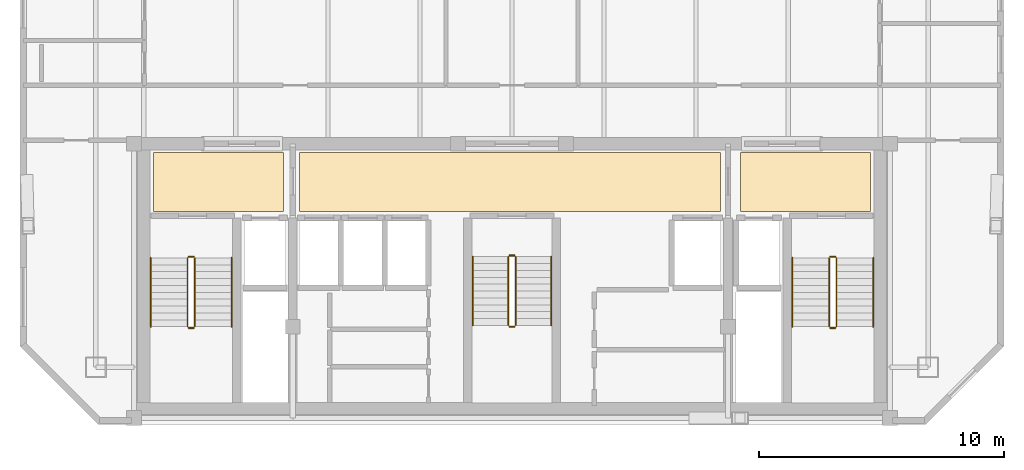
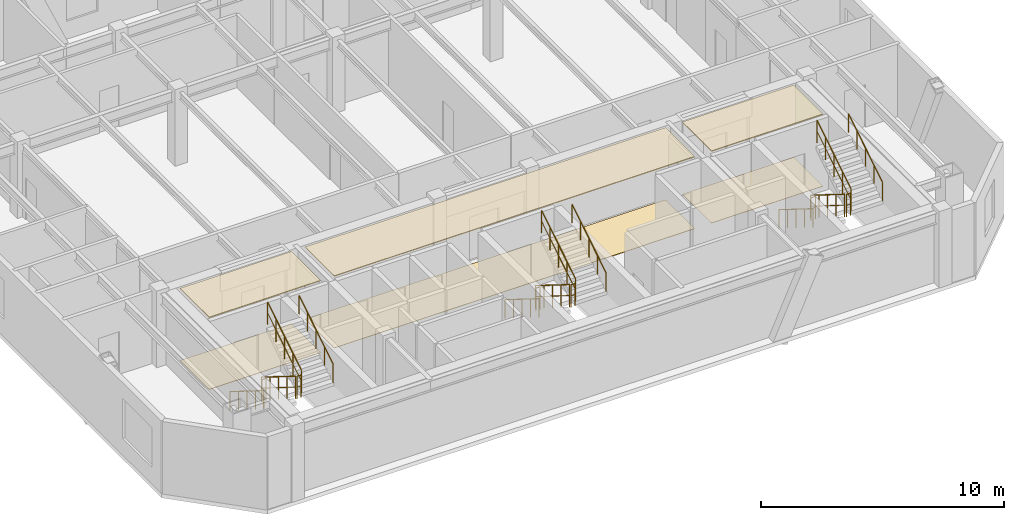
# One storey, part 6 of 6: 18 railings, 6 coverings.
"""IFC4 building model written with IfcOpenShell, lengths in metres."""

from ifc_helpers import new_model, si_unit, direction, frame, origin, origin_2d, place, context, subcontext, project, spatial, polyline, circle, outline, extrude, material, layer, layer_set, type_object, element, save


model = new_model("IFC4")

# Units and contexts
model_context = context("Model", 3, precision=1e-05, world=origin(), true_north=direction((0.0, 1.0)))
body_context = subcontext(model_context, "Body", "Model", "MODEL_VIEW")
ifc_project = project(units=[si_unit("LENGTHUNIT", "METRE"), si_unit("AREAUNIT", "SQUARE_METRE"), si_unit("VOLUMEUNIT", "CUBIC_METRE"), si_unit("PLANEANGLEUNIT", "RADIAN"), si_unit("MASSUNIT", "GRAM", prefix="KILO")], contexts=[model_context])

# Site, building, storey
site_placement = place(None, origin())
site = spatial("IfcSite", under=ifc_project, at=site_placement, CompositionType="ELEMENT")
building_placement = place(site_placement, origin())
building = spatial("IfcBuilding", under=site, at=building_placement, Name="Ventersveld Concourse Tower", CompositionType="ELEMENT")
storey_placement = place(building_placement, frame((0.0, 0.0, 300.300048828125)))
storey = spatial("IfcBuildingStorey", under=building, at=storey_placement, Name="L74", CompositionType="ELEMENT", Elevation=300.300048828125)

# Coverings
ifc_material_1 = material(Name="Mineral-fibre acoustic ceiling tile", Category="gypsum")
ifc_layer_1 = layer(ifc_material_1, 0.0400390625)
ifc_layer_set_1 = layer_set([ifc_layer_1], Name="Mineral-fibre acoustic ceiling tile")
covering_type_1 = type_object("IfcCoveringType", Name="COV-CEIL-ACOUSTIC", PredefinedType="CEILING", material=ifc_layer_set_1)
covering_1_placement = place(storey_placement, frame((0.0, 0.0, 3.60986328125)))
element("IfcCovering", 1, at=covering_1_placement, inside=storey, type_object=covering_type_1, Name="L74 North Lift Lobby Acoustic Ceiling", PredefinedType="CEILING", context=body_context, shape_type="SweptSolid", body=[
    extrude(outline(polyline([(20.10009765625, 8.699951171875), (37.25, 8.699951171875), (37.25, 11.10009765625), (20.10009765625, 11.10009765625), (20.10009765625, 8.699951171875)])), origin(), (0.0, 0.0, 1.0), 0.0400390625),
])
covering_2_placement = place(storey_placement, frame((0.0, 0.0, 3.60986328125)))
element("IfcCovering", 2, at=covering_2_placement, inside=storey, type_object=covering_type_1, Name="L74 West Firefighting Lobby Acoustic Ceiling", PredefinedType="CEILING", context=body_context, shape_type="SweptSolid", body=[
    extrude(outline(polyline([(14.14990234375, 8.699951171875), (19.449951171875, 8.699951171875), (19.449951171875, 11.10009765625), (14.14990234375, 11.10009765625), (14.14990234375, 8.699951171875)])), origin(), (0.0, 0.0, 1.0), 0.0400390625),
])
covering_3_placement = place(storey_placement, frame((0.0, 0.0, 3.60986328125)))
element("IfcCovering", 3, at=covering_3_placement, inside=storey, type_object=covering_type_1, Name="L74 East Firefighting Lobby Acoustic Ceiling", PredefinedType="CEILING", context=body_context, shape_type="SweptSolid", body=[
    extrude(outline(polyline([(38.050048828125, 8.699951171875), (43.35009765625, 8.699951171875), (43.35009765625, 11.10009765625), (38.050048828125, 11.10009765625), (38.050048828125, 8.699951171875)])), origin(), (0.0, 0.0, 1.0), 0.0400390625),
])
ifc_material_2 = material(Name="Polished Highveld granite terrazzo", Category="masonry")
ifc_layer_2 = layer(ifc_material_2, 0.02001953125)
ifc_layer_set_2 = layer_set([ifc_layer_2], Name="Polished Highveld granite terrazzo")
covering_type_2 = type_object("IfcCoveringType", Name="COV-FLOOR-TERRAZZO", PredefinedType="FLOORING", material=ifc_layer_set_2)
covering_4_placement = place(storey_placement, origin())
element("IfcCovering", 4, at=covering_4_placement, inside=storey, type_object=covering_type_2, Name="L74 North Lift Lobby Terrazzo Flooring", PredefinedType="FLOORING", context=body_context, shape_type="SweptSolid", body=[
    extrude(outline(polyline([(20.10009765625, 8.699951171875), (37.25, 8.699951171875), (37.25, 11.10009765625), (20.10009765625, 11.10009765625), (20.10009765625, 8.699951171875)])), origin(), (0.0, 0.0, 1.0), 0.02001953125),
])
covering_5_placement = place(storey_placement, origin())
element("IfcCovering", 5, at=covering_5_placement, inside=storey, type_object=covering_type_2, Name="L74 West Firefighting Lobby Terrazzo Flooring", PredefinedType="FLOORING", context=body_context, shape_type="SweptSolid", body=[
    extrude(outline(polyline([(14.14990234375, 8.699951171875), (19.449951171875, 8.699951171875), (19.449951171875, 11.10009765625), (14.14990234375, 11.10009765625), (14.14990234375, 8.699951171875)])), origin(), (0.0, 0.0, 1.0), 0.02001953125),
])
covering_6_placement = place(storey_placement, origin())
element("IfcCovering", 6, at=covering_6_placement, inside=storey, type_object=covering_type_2, Name="L74 East Firefighting Lobby Terrazzo Flooring", PredefinedType="FLOORING", context=body_context, shape_type="SweptSolid", body=[
    extrude(outline(polyline([(38.050048828125, 8.699951171875), (43.35009765625, 8.699951171875), (43.35009765625, 11.10009765625), (38.050048828125, 11.10009765625), (38.050048828125, 8.699951171875)])), origin(), (0.0, 0.0, 1.0), 0.02001953125),
])

# Railings
ifc_material_3 = material(Name="Brushed stainless steel 316", Category="steel")
railing_type_1 = type_object("IfcRailingType", Name="GD-BAL-115", PredefinedType="GUARDRAIL", material=ifc_material_3)
railing_1_placement = place(storey_placement, frame((15.530029296875, 6.800048828125, 0.175048828125)))
element("IfcRailing", 7, at=railing_1_placement, inside=storey, type_object=railing_type_1, Name="L74 ST-01 stair guard 1", PredefinedType="GUARDRAIL", context=body_context, shape_type="SweptSolid", body=[
    extrude(circle(Radius=0.02392578125, at=origin_2d()), frame((0.0, 0.0, 1.1259765625), z_axis=(0.0, -0.848002457836, 0.529992293815), x_axis=(1.0, 0.0, 0.0)), (0.0, 0.0, 1.0), 3.302001953125),
    extrude(circle(Radius=0.01611328125, at=origin_2d()), frame((0.0, 0.0, 0.574951171875), z_axis=(0.0, -0.848002457836, 0.529992293815), x_axis=(1.0, 0.0, 0.0)), (0.0, 0.0, 1.0), 3.302001953125),
    extrude(circle(Radius=0.02099609375, at=origin_2d()), origin(), (0.0, 0.0, 1.0), 1.101806640625),
    extrude(circle(Radius=0.02099609375, at=origin_2d()), frame((0.0, -0.699951171875, 0.4375)), (0.0, 0.0, 1.0), 1.101806640625),
    extrude(circle(Radius=0.02099609375, at=origin_2d()), frame((0.0, -1.39990234375, 0.875)), (0.0, 0.0, 1.0), 1.101806640625),
    extrude(circle(Radius=0.02099609375, at=origin_2d()), frame((0.0, -2.10009765625, 1.3125)), (0.0, 0.0, 1.0), 1.101806640625),
    extrude(circle(Radius=0.02099609375, at=origin_2d()), frame((0.0, -2.800048828125, 1.75)), (0.0, 0.0, 1.0), 1.101806640625),
])
railing_2_placement = place(storey_placement, frame((15.580078125, 3.949951171875, 1.925048828125)))
element("IfcRailing", 8, at=railing_2_placement, inside=storey, type_object=railing_type_1, Name="L74 ST-01 stair guard 2", PredefinedType="GUARDRAIL", context=body_context, shape_type="SweptSolid", body=[
    extrude(circle(Radius=0.02392578125, at=origin_2d()), frame((0.0, 0.0, 1.1259765625), z_axis=(1.0, 0.0, 0.0), x_axis=(0.0, 1.0, 0.0)), (0.0, 0.0, 1.0), 0.199951171875),
    extrude(circle(Radius=0.01611328125, at=origin_2d()), frame((0.0, 0.0, 0.574951171875), z_axis=(1.0, 0.0, 0.0), x_axis=(0.0, 1.0, 0.0)), (0.0, 0.0, 1.0), 0.199951171875),
    extrude(circle(Radius=0.02099609375, at=origin_2d()), origin(), (0.0, 0.0, 1.0), 1.101806640625),
    extrude(circle(Radius=0.02099609375, at=origin_2d()), frame((0.199951171875, 0.0, 0.0)), (0.0, 0.0, 1.0), 1.101806640625),
])
railing_3_placement = place(storey_placement, frame((15.830078125, 4.0, 2.099853515625)))
element("IfcRailing", 9, at=railing_3_placement, inside=storey, type_object=railing_type_1, Name="L74 ST-01 stair guard 3", PredefinedType="GUARDRAIL", context=body_context, shape_type="SweptSolid", body=[
    extrude(circle(Radius=0.02392578125, at=origin_2d()), frame((0.0, 0.0, 1.1259765625), z_axis=(0.0, 0.848002457836, 0.529992293815), x_axis=(-1.0, 0.0, 0.0)), (0.0, 0.0, 1.0), 3.302001953125),
    extrude(circle(Radius=0.01611328125, at=origin_2d()), frame((0.0, 0.0, 0.574951171875), z_axis=(0.0, 0.848002457836, 0.529992293815), x_axis=(-1.0, 0.0, 0.0)), (0.0, 0.0, 1.0), 3.302001953125),
    extrude(circle(Radius=0.02099609375, at=origin_2d()), origin(), (0.0, 0.0, 1.0), 1.101806640625),
    extrude(circle(Radius=0.02099609375, at=origin_2d()), frame((0.0, 0.699951171875, 0.4375)), (0.0, 0.0, 1.0), 1.101806640625),
    extrude(circle(Radius=0.02099609375, at=origin_2d()), frame((0.0, 1.39990234375, 0.875)), (0.0, 0.0, 1.0), 1.101806640625),
    extrude(circle(Radius=0.02099609375, at=origin_2d()), frame((0.0, 2.10009765625, 1.3125)), (0.0, 0.0, 1.0), 1.101806640625),
    extrude(circle(Radius=0.02099609375, at=origin_2d()), frame((0.0, 2.800048828125, 1.75)), (0.0, 0.0, 1.0), 1.101806640625),
])
railing_4_placement = place(storey_placement, frame((15.580078125, 6.85009765625, 0.0)))
element("IfcRailing", 10, at=railing_4_placement, inside=storey, type_object=railing_type_1, Name="L74 ST-01 stair guard 4", PredefinedType="GUARDRAIL", context=body_context, shape_type="SweptSolid", body=[
    extrude(circle(Radius=0.02392578125, at=origin_2d()), frame((0.0, 0.0, 1.1259765625), z_axis=(1.0, 0.0, 0.0), x_axis=(0.0, 1.0, 0.0)), (0.0, 0.0, 1.0), 0.199951171875),
    extrude(circle(Radius=0.01611328125, at=origin_2d()), frame((0.0, 0.0, 0.574951171875), z_axis=(1.0, 0.0, 0.0), x_axis=(0.0, 1.0, 0.0)), (0.0, 0.0, 1.0), 0.199951171875),
    extrude(circle(Radius=0.02099609375, at=origin_2d()), origin(), (0.0, 0.0, 1.0), 1.101806640625),
    extrude(circle(Radius=0.02099609375, at=origin_2d()), frame((0.199951171875, 0.0, 0.0)), (0.0, 0.0, 1.0), 1.101806640625),
])
railing_5_placement = place(storey_placement, frame((41.669921875, 6.800048828125, 0.175048828125)))
element("IfcRailing", 11, at=railing_5_placement, inside=storey, type_object=railing_type_1, Name="L74 ST-02 stair guard 1", PredefinedType="GUARDRAIL", context=body_context, shape_type="SweptSolid", body=[
    extrude(circle(Radius=0.02392578125, at=origin_2d()), frame((0.0, 0.0, 1.1259765625), z_axis=(0.0, -0.848002457836, 0.529992293815), x_axis=(1.0, 0.0, 0.0)), (0.0, 0.0, 1.0), 3.302001953125),
    extrude(circle(Radius=0.01611328125, at=origin_2d()), frame((0.0, 0.0, 0.574951171875), z_axis=(0.0, -0.848002457836, 0.529992293815), x_axis=(1.0, 0.0, 0.0)), (0.0, 0.0, 1.0), 3.302001953125),
    extrude(circle(Radius=0.02099609375, at=origin_2d()), origin(), (0.0, 0.0, 1.0), 1.101806640625),
    extrude(circle(Radius=0.02099609375, at=origin_2d()), frame((0.0, -0.699951171875, 0.4375)), (0.0, 0.0, 1.0), 1.101806640625),
    extrude(circle(Radius=0.02099609375, at=origin_2d()), frame((0.0, -1.39990234375, 0.875)), (0.0, 0.0, 1.0), 1.101806640625),
    extrude(circle(Radius=0.02099609375, at=origin_2d()), frame((0.0, -2.10009765625, 1.3125)), (0.0, 0.0, 1.0), 1.101806640625),
    extrude(circle(Radius=0.02099609375, at=origin_2d()), frame((0.0, -2.800048828125, 1.75)), (0.0, 0.0, 1.0), 1.101806640625),
])
railing_6_placement = place(storey_placement, frame((41.719970703125, 3.949951171875, 1.925048828125)))
element("IfcRailing", 12, at=railing_6_placement, inside=storey, type_object=railing_type_1, Name="L74 ST-02 stair guard 2", PredefinedType="GUARDRAIL", context=body_context, shape_type="SweptSolid", body=[
    extrude(circle(Radius=0.02392578125, at=origin_2d()), frame((0.0, 0.0, 1.1259765625), z_axis=(1.0, 0.0, 0.0), x_axis=(0.0, 1.0, 0.0)), (0.0, 0.0, 1.0), 0.199951171875),
    extrude(circle(Radius=0.01611328125, at=origin_2d()), frame((0.0, 0.0, 0.574951171875), z_axis=(1.0, 0.0, 0.0), x_axis=(0.0, 1.0, 0.0)), (0.0, 0.0, 1.0), 0.199951171875),
    extrude(circle(Radius=0.02099609375, at=origin_2d()), origin(), (0.0, 0.0, 1.0), 1.101806640625),
    extrude(circle(Radius=0.02099609375, at=origin_2d()), frame((0.199951171875, 0.0, 0.0)), (0.0, 0.0, 1.0), 1.101806640625),
])
railing_7_placement = place(storey_placement, frame((41.969970703125, 4.0, 2.099853515625)))
element("IfcRailing", 13, at=railing_7_placement, inside=storey, type_object=railing_type_1, Name="L74 ST-02 stair guard 3", PredefinedType="GUARDRAIL", context=body_context, shape_type="SweptSolid", body=[
    extrude(circle(Radius=0.02392578125, at=origin_2d()), frame((0.0, 0.0, 1.1259765625), z_axis=(0.0, 0.848002457836, 0.529992293815), x_axis=(-1.0, 0.0, 0.0)), (0.0, 0.0, 1.0), 3.302001953125),
    extrude(circle(Radius=0.01611328125, at=origin_2d()), frame((0.0, 0.0, 0.574951171875), z_axis=(0.0, 0.848002457836, 0.529992293815), x_axis=(-1.0, 0.0, 0.0)), (0.0, 0.0, 1.0), 3.302001953125),
    extrude(circle(Radius=0.02099609375, at=origin_2d()), origin(), (0.0, 0.0, 1.0), 1.101806640625),
    extrude(circle(Radius=0.02099609375, at=origin_2d()), frame((0.0, 0.699951171875, 0.4375)), (0.0, 0.0, 1.0), 1.101806640625),
    extrude(circle(Radius=0.02099609375, at=origin_2d()), frame((0.0, 1.39990234375, 0.875)), (0.0, 0.0, 1.0), 1.101806640625),
    extrude(circle(Radius=0.02099609375, at=origin_2d()), frame((0.0, 2.10009765625, 1.3125)), (0.0, 0.0, 1.0), 1.101806640625),
    extrude(circle(Radius=0.02099609375, at=origin_2d()), frame((0.0, 2.800048828125, 1.75)), (0.0, 0.0, 1.0), 1.101806640625),
])
railing_8_placement = place(storey_placement, frame((41.719970703125, 6.85009765625, 0.0)))
element("IfcRailing", 14, at=railing_8_placement, inside=storey, type_object=railing_type_1, Name="L74 ST-02 stair guard 4", PredefinedType="GUARDRAIL", context=body_context, shape_type="SweptSolid", body=[
    extrude(circle(Radius=0.02392578125, at=origin_2d()), frame((0.0, 0.0, 1.1259765625), z_axis=(1.0, 0.0, 0.0), x_axis=(0.0, 1.0, 0.0)), (0.0, 0.0, 1.0), 0.199951171875),
    extrude(circle(Radius=0.01611328125, at=origin_2d()), frame((0.0, 0.0, 0.574951171875), z_axis=(1.0, 0.0, 0.0), x_axis=(0.0, 1.0, 0.0)), (0.0, 0.0, 1.0), 0.199951171875),
    extrude(circle(Radius=0.02099609375, at=origin_2d()), origin(), (0.0, 0.0, 1.0), 1.101806640625),
    extrude(circle(Radius=0.02099609375, at=origin_2d()), frame((0.199951171875, 0.0, 0.0)), (0.0, 0.0, 1.0), 1.101806640625),
])
railing_9_placement = place(storey_placement, frame((28.60009765625, 6.85009765625, 0.175048828125)))
element("IfcRailing", 15, at=railing_9_placement, inside=storey, type_object=railing_type_1, Name="L74 ST-03 stair guard 1", PredefinedType="GUARDRAIL", context=body_context, shape_type="SweptSolid", body=[
    extrude(circle(Radius=0.02392578125, at=origin_2d()), frame((0.0, 0.0, 1.1259765625), z_axis=(0.0, -0.848002457836, 0.529992293815), x_axis=(1.0, 0.0, 0.0)), (0.0, 0.0, 1.0), 3.302001953125),
    extrude(circle(Radius=0.01611328125, at=origin_2d()), frame((0.0, 0.0, 0.574951171875), z_axis=(0.0, -0.848002457836, 0.529992293815), x_axis=(1.0, 0.0, 0.0)), (0.0, 0.0, 1.0), 3.302001953125),
    extrude(circle(Radius=0.02099609375, at=origin_2d()), origin(), (0.0, 0.0, 1.0), 1.101806640625),
    extrude(circle(Radius=0.02099609375, at=origin_2d()), frame((0.0, -0.699951171875, 0.4375)), (0.0, 0.0, 1.0), 1.101806640625),
    extrude(circle(Radius=0.02099609375, at=origin_2d()), frame((0.0, -1.39990234375, 0.875)), (0.0, 0.0, 1.0), 1.101806640625),
    extrude(circle(Radius=0.02099609375, at=origin_2d()), frame((0.0, -2.10009765625, 1.3125)), (0.0, 0.0, 1.0), 1.101806640625),
    extrude(circle(Radius=0.02099609375, at=origin_2d()), frame((0.0, -2.800048828125, 1.75)), (0.0, 0.0, 1.0), 1.101806640625),
])
railing_10_placement = place(storey_placement, frame((28.64990234375, 4.0, 1.925048828125)))
element("IfcRailing", 16, at=railing_10_placement, inside=storey, type_object=railing_type_1, Name="L74 ST-03 stair guard 2", PredefinedType="GUARDRAIL", context=body_context, shape_type="SweptSolid", body=[
    extrude(circle(Radius=0.02392578125, at=origin_2d()), frame((0.0, 0.0, 1.1259765625), z_axis=(1.0, 0.0, 0.0), x_axis=(0.0, 1.0, 0.0)), (0.0, 0.0, 1.0), 0.2001953125),
    extrude(circle(Radius=0.01611328125, at=origin_2d()), frame((0.0, 0.0, 0.574951171875), z_axis=(1.0, 0.0, 0.0), x_axis=(0.0, 1.0, 0.0)), (0.0, 0.0, 1.0), 0.2001953125),
    extrude(circle(Radius=0.02099609375, at=origin_2d()), origin(), (0.0, 0.0, 1.0), 1.101806640625),
    extrude(circle(Radius=0.02099609375, at=origin_2d()), frame((0.2001953125, 0.0, 0.0)), (0.0, 0.0, 1.0), 1.101806640625),
])
railing_11_placement = place(storey_placement, frame((28.89990234375, 4.050048828125, 2.099853515625)))
element("IfcRailing", 17, at=railing_11_placement, inside=storey, type_object=railing_type_1, Name="L74 ST-03 stair guard 3", PredefinedType="GUARDRAIL", context=body_context, shape_type="SweptSolid", body=[
    extrude(circle(Radius=0.02392578125, at=origin_2d()), frame((0.0, 0.0, 1.1259765625), z_axis=(0.0, 0.848002457836, 0.529992293815), x_axis=(-1.0, 0.0, 0.0)), (0.0, 0.0, 1.0), 3.302001953125),
    extrude(circle(Radius=0.01611328125, at=origin_2d()), frame((0.0, 0.0, 0.574951171875), z_axis=(0.0, 0.848002457836, 0.529992293815), x_axis=(-1.0, 0.0, 0.0)), (0.0, 0.0, 1.0), 3.302001953125),
    extrude(circle(Radius=0.02099609375, at=origin_2d()), origin(), (0.0, 0.0, 1.0), 1.101806640625),
    extrude(circle(Radius=0.02099609375, at=origin_2d()), frame((0.0, 0.699951171875, 0.4375)), (0.0, 0.0, 1.0), 1.101806640625),
    extrude(circle(Radius=0.02099609375, at=origin_2d()), frame((0.0, 1.39990234375, 0.875)), (0.0, 0.0, 1.0), 1.101806640625),
    extrude(circle(Radius=0.02099609375, at=origin_2d()), frame((0.0, 2.10009765625, 1.3125)), (0.0, 0.0, 1.0), 1.101806640625),
    extrude(circle(Radius=0.02099609375, at=origin_2d()), frame((0.0, 2.800048828125, 1.75)), (0.0, 0.0, 1.0), 1.101806640625),
])
railing_12_placement = place(storey_placement, frame((28.64990234375, 6.89990234375, 0.0)))
element("IfcRailing", 18, at=railing_12_placement, inside=storey, type_object=railing_type_1, Name="L74 ST-03 stair guard 4", PredefinedType="GUARDRAIL", context=body_context, shape_type="SweptSolid", body=[
    extrude(circle(Radius=0.02392578125, at=origin_2d()), frame((0.0, 0.0, 1.1259765625), z_axis=(1.0, 0.0, 0.0), x_axis=(0.0, 1.0, 0.0)), (0.0, 0.0, 1.0), 0.2001953125),
    extrude(circle(Radius=0.01611328125, at=origin_2d()), frame((0.0, 0.0, 0.574951171875), z_axis=(1.0, 0.0, 0.0), x_axis=(0.0, 1.0, 0.0)), (0.0, 0.0, 1.0), 0.2001953125),
    extrude(circle(Radius=0.02099609375, at=origin_2d()), origin(), (0.0, 0.0, 1.0), 1.101806640625),
    extrude(circle(Radius=0.02099609375, at=origin_2d()), frame((0.2001953125, 0.0, 0.0)), (0.0, 0.0, 1.0), 1.101806640625),
])
railing_type_2 = type_object("IfcRailingType", Name="HR-RMP-095", PredefinedType="HANDRAIL", material=ifc_material_3)
railing_13_placement = place(storey_placement, frame((14.030029296875, 6.800048828125, 0.175048828125)))
element("IfcRailing", 19, at=railing_13_placement, inside=storey, type_object=railing_type_2, Name="L74 ST-01 stair handrail 1", PredefinedType="HANDRAIL", context=body_context, shape_type="SweptSolid", body=[
    extrude(circle(Radius=0.02392578125, at=origin_2d()), frame((0.0, 0.0, 0.92578125), z_axis=(0.0, -0.848002457836, 0.529992293815), x_axis=(1.0, 0.0, 0.0)), (0.0, 0.0, 1.0), 3.302001953125),
    extrude(circle(Radius=0.02099609375, at=origin_2d()), origin(), (0.0, 0.0, 1.0), 0.90185546875),
    extrude(circle(Radius=0.02099609375, at=origin_2d()), frame((0.0, -0.699951171875, 0.4375)), (0.0, 0.0, 1.0), 0.90185546875),
    extrude(circle(Radius=0.02099609375, at=origin_2d()), frame((0.0, -1.39990234375, 0.875)), (0.0, 0.0, 1.0), 0.90185546875),
    extrude(circle(Radius=0.02099609375, at=origin_2d()), frame((0.0, -2.10009765625, 1.3125)), (0.0, 0.0, 1.0), 0.90185546875),
    extrude(circle(Radius=0.02099609375, at=origin_2d()), frame((0.0, -2.800048828125, 1.75)), (0.0, 0.0, 1.0), 0.90185546875),
])
railing_14_placement = place(storey_placement, frame((17.330078125, 4.0, 2.099853515625)))
element("IfcRailing", 20, at=railing_14_placement, inside=storey, type_object=railing_type_2, Name="L74 ST-01 stair handrail 2", PredefinedType="HANDRAIL", context=body_context, shape_type="SweptSolid", body=[
    extrude(circle(Radius=0.02392578125, at=origin_2d()), frame((0.0, 0.0, 0.92578125), z_axis=(0.0, 0.848002457836, 0.529992293815), x_axis=(-1.0, 0.0, 0.0)), (0.0, 0.0, 1.0), 3.302001953125),
    extrude(circle(Radius=0.02099609375, at=origin_2d()), origin(), (0.0, 0.0, 1.0), 0.90185546875),
    extrude(circle(Radius=0.02099609375, at=origin_2d()), frame((0.0, 0.699951171875, 0.4375)), (0.0, 0.0, 1.0), 0.90185546875),
    extrude(circle(Radius=0.02099609375, at=origin_2d()), frame((0.0, 1.39990234375, 0.875)), (0.0, 0.0, 1.0), 0.90185546875),
    extrude(circle(Radius=0.02099609375, at=origin_2d()), frame((0.0, 2.10009765625, 1.3125)), (0.0, 0.0, 1.0), 0.90185546875),
    extrude(circle(Radius=0.02099609375, at=origin_2d()), frame((0.0, 2.800048828125, 1.75)), (0.0, 0.0, 1.0), 0.90185546875),
])
railing_15_placement = place(storey_placement, frame((40.169921875, 6.800048828125, 0.175048828125)))
element("IfcRailing", 21, at=railing_15_placement, inside=storey, type_object=railing_type_2, Name="L74 ST-02 stair handrail 1", PredefinedType="HANDRAIL", context=body_context, shape_type="SweptSolid", body=[
    extrude(circle(Radius=0.02392578125, at=origin_2d()), frame((0.0, 0.0, 0.92578125), z_axis=(0.0, -0.848002457836, 0.529992293815), x_axis=(1.0, 0.0, 0.0)), (0.0, 0.0, 1.0), 3.302001953125),
    extrude(circle(Radius=0.02099609375, at=origin_2d()), origin(), (0.0, 0.0, 1.0), 0.90185546875),
    extrude(circle(Radius=0.02099609375, at=origin_2d()), frame((0.0, -0.699951171875, 0.4375)), (0.0, 0.0, 1.0), 0.90185546875),
    extrude(circle(Radius=0.02099609375, at=origin_2d()), frame((0.0, -1.39990234375, 0.875)), (0.0, 0.0, 1.0), 0.90185546875),
    extrude(circle(Radius=0.02099609375, at=origin_2d()), frame((0.0, -2.10009765625, 1.3125)), (0.0, 0.0, 1.0), 0.90185546875),
    extrude(circle(Radius=0.02099609375, at=origin_2d()), frame((0.0, -2.800048828125, 1.75)), (0.0, 0.0, 1.0), 0.90185546875),
])
railing_16_placement = place(storey_placement, frame((43.469970703125, 4.0, 2.099853515625)))
element("IfcRailing", 22, at=railing_16_placement, inside=storey, type_object=railing_type_2, Name="L74 ST-02 stair handrail 2", PredefinedType="HANDRAIL", context=body_context, shape_type="SweptSolid", body=[
    extrude(circle(Radius=0.02392578125, at=origin_2d()), frame((0.0, 0.0, 0.92578125), z_axis=(0.0, 0.848002457836, 0.529992293815), x_axis=(-1.0, 0.0, 0.0)), (0.0, 0.0, 1.0), 3.302001953125),
    extrude(circle(Radius=0.02099609375, at=origin_2d()), origin(), (0.0, 0.0, 1.0), 0.90185546875),
    extrude(circle(Radius=0.02099609375, at=origin_2d()), frame((0.0, 0.699951171875, 0.4375)), (0.0, 0.0, 1.0), 0.90185546875),
    extrude(circle(Radius=0.02099609375, at=origin_2d()), frame((0.0, 1.39990234375, 0.875)), (0.0, 0.0, 1.0), 0.90185546875),
    extrude(circle(Radius=0.02099609375, at=origin_2d()), frame((0.0, 2.10009765625, 1.3125)), (0.0, 0.0, 1.0), 0.90185546875),
    extrude(circle(Radius=0.02099609375, at=origin_2d()), frame((0.0, 2.800048828125, 1.75)), (0.0, 0.0, 1.0), 0.90185546875),
])
railing_17_placement = place(storey_placement, frame((27.14990234375, 6.85009765625, 0.175048828125)))
element("IfcRailing", 23, at=railing_17_placement, inside=storey, type_object=railing_type_2, Name="L74 ST-03 stair handrail 1", PredefinedType="HANDRAIL", context=body_context, shape_type="SweptSolid", body=[
    extrude(circle(Radius=0.02392578125, at=origin_2d()), frame((0.0, 0.0, 0.92578125), z_axis=(0.0, -0.848002457836, 0.529992293815), x_axis=(1.0, 0.0, 0.0)), (0.0, 0.0, 1.0), 3.302001953125),
    extrude(circle(Radius=0.02099609375, at=origin_2d()), origin(), (0.0, 0.0, 1.0), 0.90185546875),
    extrude(circle(Radius=0.02099609375, at=origin_2d()), frame((0.0, -0.699951171875, 0.4375)), (0.0, 0.0, 1.0), 0.90185546875),
    extrude(circle(Radius=0.02099609375, at=origin_2d()), frame((0.0, -1.39990234375, 0.875)), (0.0, 0.0, 1.0), 0.90185546875),
    extrude(circle(Radius=0.02099609375, at=origin_2d()), frame((0.0, -2.10009765625, 1.3125)), (0.0, 0.0, 1.0), 0.90185546875),
    extrude(circle(Radius=0.02099609375, at=origin_2d()), frame((0.0, -2.800048828125, 1.75)), (0.0, 0.0, 1.0), 0.90185546875),
])
railing_18_placement = place(storey_placement, frame((30.35009765625, 4.050048828125, 2.099853515625)))
element("IfcRailing", 24, at=railing_18_placement, inside=storey, type_object=railing_type_2, Name="L74 ST-03 stair handrail 2", PredefinedType="HANDRAIL", context=body_context, shape_type="SweptSolid", body=[
    extrude(circle(Radius=0.02392578125, at=origin_2d()), frame((0.0, 0.0, 0.92578125), z_axis=(0.0, 0.848002457836, 0.529992293815), x_axis=(-1.0, 0.0, 0.0)), (0.0, 0.0, 1.0), 3.302001953125),
    extrude(circle(Radius=0.02099609375, at=origin_2d()), origin(), (0.0, 0.0, 1.0), 0.90185546875),
    extrude(circle(Radius=0.02099609375, at=origin_2d()), frame((0.0, 0.699951171875, 0.4375)), (0.0, 0.0, 1.0), 0.90185546875),
    extrude(circle(Radius=0.02099609375, at=origin_2d()), frame((0.0, 1.39990234375, 0.875)), (0.0, 0.0, 1.0), 0.90185546875),
    extrude(circle(Radius=0.02099609375, at=origin_2d()), frame((0.0, 2.10009765625, 1.3125)), (0.0, 0.0, 1.0), 0.90185546875),
    extrude(circle(Radius=0.02099609375, at=origin_2d()), frame((0.0, 2.800048828125, 1.75)), (0.0, 0.0, 1.0), 0.90185546875),
])

save(model, "model.ifc")
